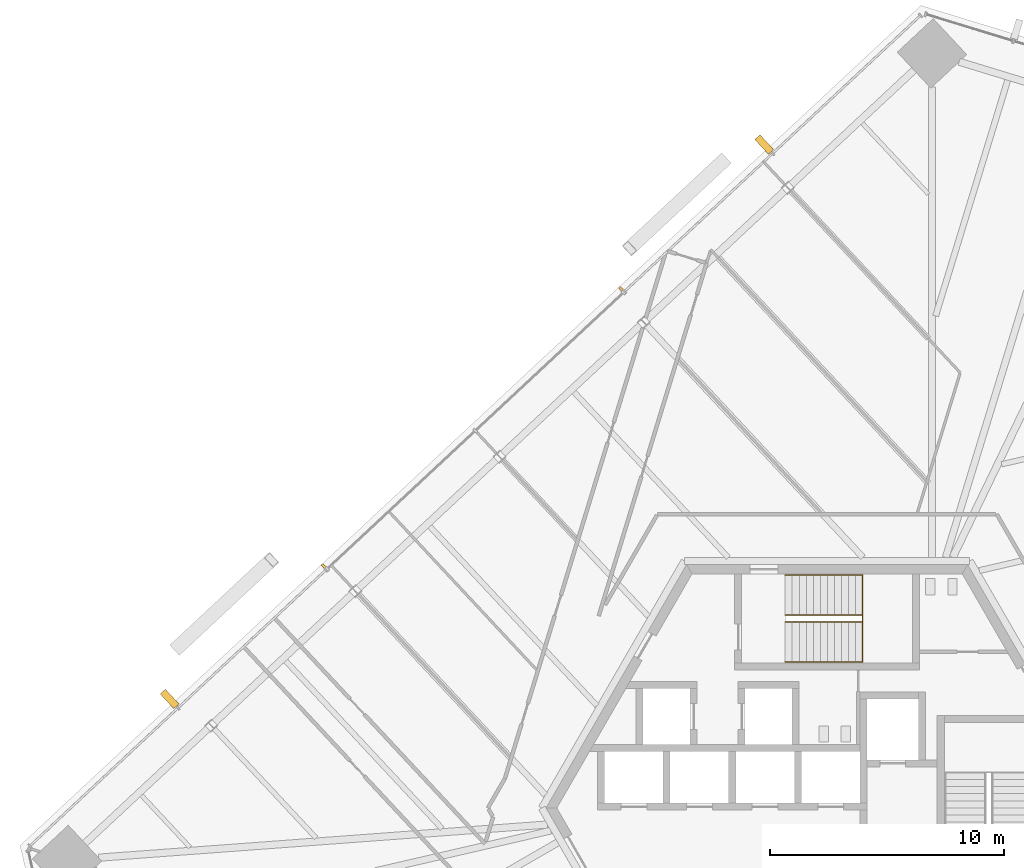
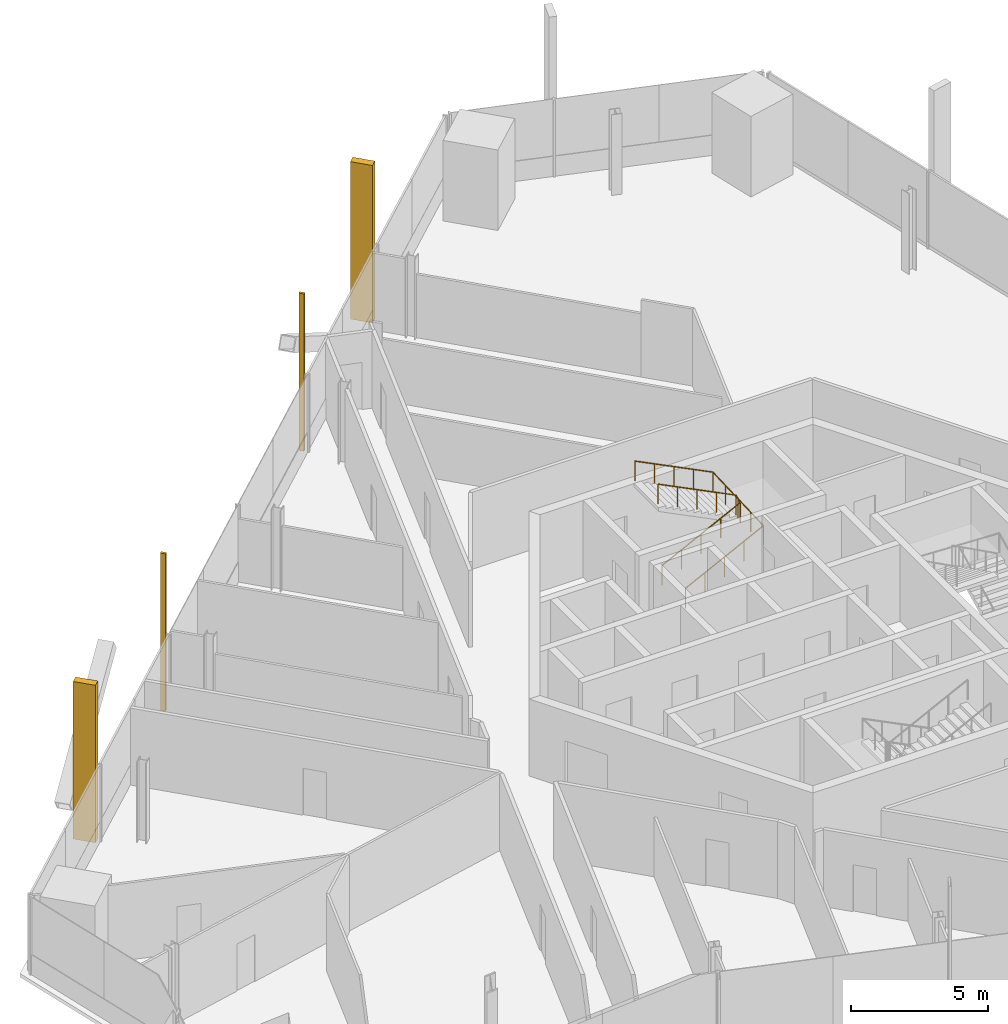
# One storey, part 19 of 23: 4 shading devices, 2 railings.
"""IFC4 building model written with IfcOpenShell, lengths in metres."""

from ifc_helpers import new_model, si_unit, direction, frame, origin, origin_2d, place, context, subcontext, project, spatial, rectangle, circle, extrude, source, transform, mapped, material, type_object, element, save


model = new_model("IFC4")

# Units and contexts
model_context = context("Model", 3, precision=1e-05, world=origin(), true_north=direction((0.0, 1.0)))
body_context = subcontext(model_context, "Body", "Model", "MODEL_VIEW")
ifc_project = project(units=[si_unit("LENGTHUNIT", "METRE"), si_unit("AREAUNIT", "SQUARE_METRE"), si_unit("VOLUMEUNIT", "CUBIC_METRE"), si_unit("PLANEANGLEUNIT", "RADIAN"), si_unit("MASSUNIT", "GRAM", prefix="KILO")], contexts=[model_context])

# Site, building, storey
site_placement = place(None, origin())
site = spatial("IfcSite", under=ifc_project, at=site_placement, CompositionType="ELEMENT")
building_placement = place(site_placement, origin())
building = spatial("IfcBuilding", under=site, at=building_placement, Name="Triune Harvest Tower", CompositionType="ELEMENT")
storey_placement = place(building_placement, frame((0.0, 0.0, 105.5)))
storey = spatial("IfcBuildingStorey", under=building, at=storey_placement, Name="L26", CompositionType="ELEMENT", Elevation=105.5)

# Railings
ifc_material_1 = material(Name="Stainless steel AISI 316", Category="steel")
railing_type = type_object("IfcRailingType", Name="Stair handrail", PredefinedType="HANDRAIL", material=ifc_material_1)
shared_shape_1 = source(origin(), body_context, "Body", "SweptSolid", [
    extrude(circle(Radius=0.02392578125, at=origin_2d()), frame((0.0, 0.0, 0.8759765625), z_axis=(0.894413956696, 0.0, 0.447240063129), x_axis=(0.0, 1.0, 0.0)), (0.0, 0.0, 1.0), 3.689697265625),
    extrude(circle(Radius=0.02392578125, at=origin_2d()), frame((3.300048828125, 0.0, 2.52587890625), z_axis=(0.0, 0.999180289278, 0.040481471304), x_axis=(-1.0, 0.0, 0.0)), (0.0, 0.0, 1.0), 3.702880859375),
    extrude(circle(Radius=0.02392578125, at=origin_2d()), frame((3.300048828125, 3.699951171875, 2.67578125), z_axis=(-0.894413956696, 0.0, 0.447240063129), x_axis=(0.0, -1.0, 0.0)), (0.0, 0.0, 1.0), 3.689697265625),
    extrude(circle(Radius=0.02099609375, at=origin_2d()), origin(), (0.0, 0.0, 1.0), 0.851806640625),
    extrude(circle(Radius=0.02099609375, at=origin_2d()), frame((0.824951171875, 0.0, 0.41259765625)), (0.0, 0.0, 1.0), 0.851806640625),
    extrude(circle(Radius=0.02099609375, at=origin_2d()), frame((1.64990234375, 0.0, 0.8251953125)), (0.0, 0.0, 1.0), 0.851806640625),
    extrude(circle(Radius=0.02099609375, at=origin_2d()), frame((2.47509765625, 0.0, 1.237548828125)), (0.0, 0.0, 1.0), 0.851806640625),
    extrude(circle(Radius=0.02099609375, at=origin_2d()), frame((3.300048828125, 0.0, 1.650146484375)), (0.0, 0.0, 1.0), 0.851806640625),
    extrude(circle(Radius=0.02099609375, at=origin_2d()), frame((3.300048828125, 0.925048828125, 1.6875)), (0.0, 0.0, 1.0), 0.851806640625),
    extrude(circle(Radius=0.02099609375, at=origin_2d()), frame((3.300048828125, 1.85009765625, 1.72509765625)), (0.0, 0.0, 1.0), 0.851806640625),
    extrude(circle(Radius=0.02099609375, at=origin_2d()), frame((3.300048828125, 2.77490234375, 1.7626953125)), (0.0, 0.0, 1.0), 0.851806640625),
    extrude(circle(Radius=0.02099609375, at=origin_2d()), frame((3.300048828125, 3.699951171875, 1.800048828125)), (0.0, 0.0, 1.0), 0.851806640625),
    extrude(circle(Radius=0.02099609375, at=origin_2d()), frame((2.47509765625, 3.699951171875, 2.212646484375)), (0.0, 0.0, 1.0), 0.851806640625),
    extrude(circle(Radius=0.02099609375, at=origin_2d()), frame((1.64990234375, 3.699951171875, 2.625)), (0.0, 0.0, 1.0), 0.851806640625),
    extrude(circle(Radius=0.02099609375, at=origin_2d()), frame((0.824951171875, 3.699951171875, 3.03759765625)), (0.0, 0.0, 1.0), 0.851806640625),
    extrude(circle(Radius=0.02099609375, at=origin_2d()), frame((0.0, 3.699951171875, 3.4501953125)), (0.0, 0.0, 1.0), 0.851806640625),
])
railing_1_placement = place(storey_placement, frame((-1.7900390625, 6.239990234375, 0.14990234375)))
element("IfcRailing", 1, at=railing_1_placement, inside=storey, type_object=railing_type, Name="Exit stair north wall handrail", PredefinedType="HANDRAIL", context=body_context, shape_type="MappedRepresentation", body=[
    mapped(shared_shape_1, transform((0.0, 0.0, 0.0), scale=1.0)),
])
shared_shape_2 = source(origin(), body_context, "Body", "SweptSolid", [
    extrude(circle(Radius=0.02392578125, at=origin_2d()), frame((0.0, 0.0, 0.8759765625), z_axis=(0.894413956696, 0.0, 0.447240063129), x_axis=(0.0, 1.0, 0.0)), (0.0, 0.0, 1.0), 3.689697265625),
    extrude(circle(Radius=0.02392578125, at=origin_2d()), frame((3.300048828125, 0.0, 2.52587890625), z_axis=(0.0, 0.894572720946, 0.446922417137), x_axis=(-1.0, 0.0, 0.0)), (0.0, 0.0, 1.0), 0.33544921875),
    extrude(circle(Radius=0.02392578125, at=origin_2d()), frame((3.300048828125, 0.300048828125, 2.67578125), z_axis=(-0.894413956696, 0.0, 0.447240063129), x_axis=(0.0, -1.0, 0.0)), (0.0, 0.0, 1.0), 3.689697265625),
    extrude(circle(Radius=0.02099609375, at=origin_2d()), origin(), (0.0, 0.0, 1.0), 0.851806640625),
    extrude(circle(Radius=0.02099609375, at=origin_2d()), frame((0.824951171875, 0.0, 0.41259765625)), (0.0, 0.0, 1.0), 0.851806640625),
    extrude(circle(Radius=0.02099609375, at=origin_2d()), frame((1.64990234375, 0.0, 0.8251953125)), (0.0, 0.0, 1.0), 0.851806640625),
    extrude(circle(Radius=0.02099609375, at=origin_2d()), frame((2.47509765625, 0.0, 1.237548828125)), (0.0, 0.0, 1.0), 0.851806640625),
    extrude(circle(Radius=0.02099609375, at=origin_2d()), frame((3.300048828125, 0.0, 1.650146484375)), (0.0, 0.0, 1.0), 0.851806640625),
    extrude(circle(Radius=0.02099609375, at=origin_2d()), frame((3.300048828125, 0.300048828125, 1.800048828125)), (0.0, 0.0, 1.0), 0.851806640625),
    extrude(circle(Radius=0.02099609375, at=origin_2d()), frame((2.47509765625, 0.300048828125, 2.212646484375)), (0.0, 0.0, 1.0), 0.851806640625),
    extrude(circle(Radius=0.02099609375, at=origin_2d()), frame((1.64990234375, 0.300048828125, 2.625)), (0.0, 0.0, 1.0), 0.851806640625),
    extrude(circle(Radius=0.02099609375, at=origin_2d()), frame((0.824951171875, 0.300048828125, 3.03759765625)), (0.0, 0.0, 1.0), 0.851806640625),
    extrude(circle(Radius=0.02099609375, at=origin_2d()), frame((0.0, 0.300048828125, 3.4501953125)), (0.0, 0.0, 1.0), 0.851806640625),
])
railing_2_placement = place(storey_placement, frame((-1.7900390625, 7.93994140625, 0.14990234375)))
element("IfcRailing", 2, at=railing_2_placement, inside=storey, type_object=railing_type, Name="Exit stair north centre handrail", PredefinedType="HANDRAIL", context=body_context, shape_type="MappedRepresentation", body=[
    mapped(shared_shape_2, transform((0.0, 0.0, 0.0), scale=1.0)),
])

# Shading devices
ifc_material_2 = material(Name="Aluminium bronze anodised", Category="aluminium")
shared_shape_3 = source(origin(), body_context, "Body", "SweptSolid", [
    extrude(rectangle(XDim=0.10009765625, YDim=0.199951171875, at=origin_2d()), origin(), (0.0, 0.0, 1.0), 7.0400390625),
])
for number, where, z_axis, x_axis, name in (
    (3, (-8.81103515625, 22.17138671875, 0.0), (0.0, 0.0, 1.0), (-0.73135336394, -0.681998722179, 0.0), "FN-1 fin B3-F3.5 L26"),
    (4, (-21.502685546875, 10.336181640625, 0.0), (0.0, 0.0, 1.0), (-0.73135336394, -0.681998722179, 0.0), "FN-1 fin B3-F3.9 L26"),
):
    element("IfcShadingDevice", number, at=place(storey_placement, frame(where, z_axis=z_axis, x_axis=x_axis)), inside=storey, material=ifc_material_2, Name=name, ObjectType="FIN", PredefinedType="USERDEFINED", context=body_context, shape_type="MappedRepresentation", body=[
        mapped(shared_shape_3, transform((0.0, 0.0, 0.0), scale=1.0)),
    ])
shared_shape_4 = source(origin(), body_context, "Body", "SweptSolid", [
    extrude(rectangle(XDim=0.300048828125, YDim=0.85009765625, at=origin_2d()), origin(), (0.0, 0.0, 1.0), 7.0400390625),
])
for number, where, z_axis, x_axis, name in (
    (5, (-2.68701171875, 28.326416015625, 0.0), (0.0, 0.0, 1.0), (-0.73135336394, -0.681998722179, 0.0), "FN-2 fin B3-F3.3 L26"),
    (6, (-28.070068359375, 4.656494140625, 0.0), (0.0, 0.0, 1.0), (-0.73135336394, -0.681998722179, 0.0), "FN-2 fin B3-F3.11 L26"),
):
    element("IfcShadingDevice", number, at=place(storey_placement, frame(where, z_axis=z_axis, x_axis=x_axis)), inside=storey, material=ifc_material_2, Name=name, ObjectType="FIN", PredefinedType="USERDEFINED", context=body_context, shape_type="MappedRepresentation", body=[
        mapped(shared_shape_4, transform((0.0, 0.0, 0.0), scale=1.0)),
    ])

save(model, "model.ifc")
